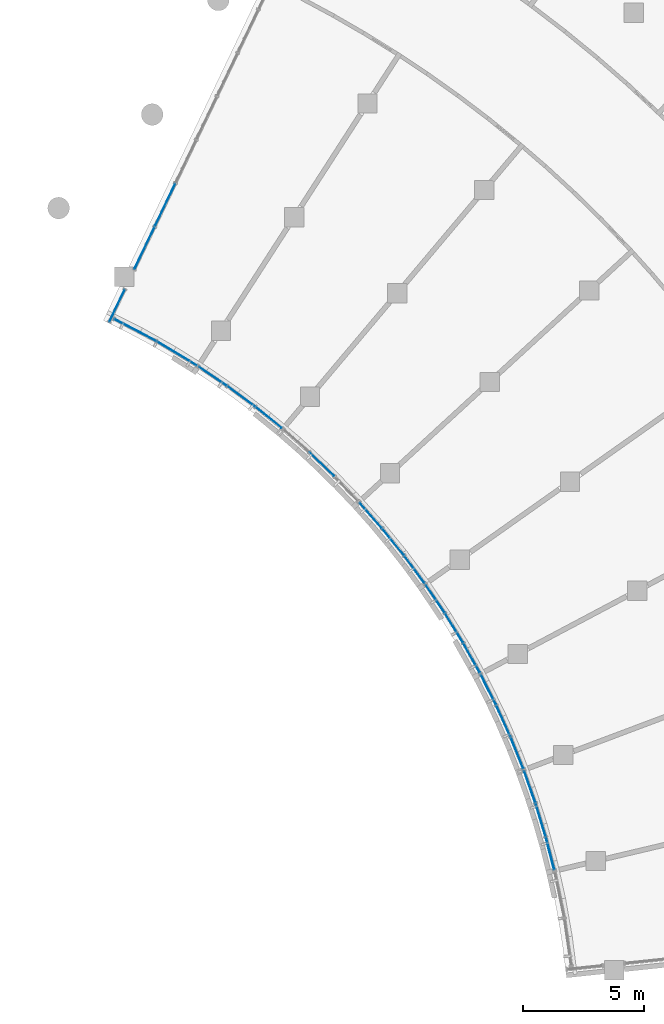
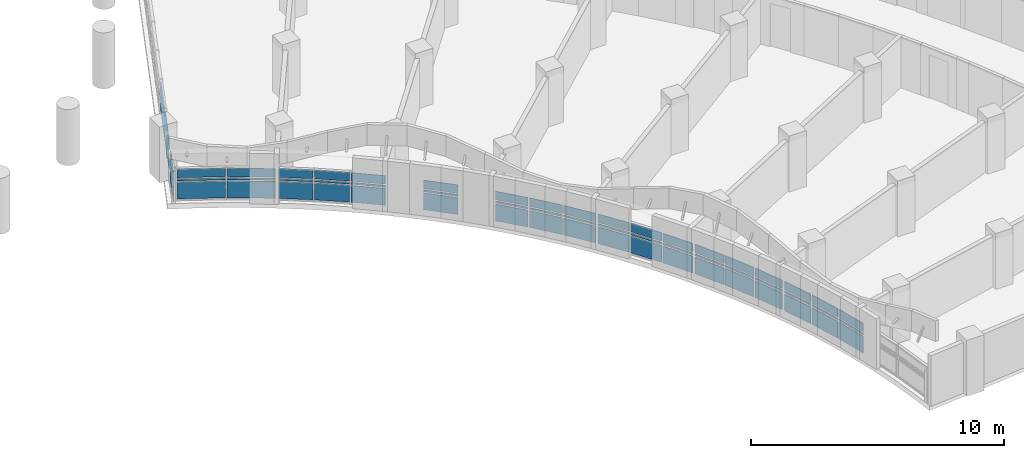
# One storey, part 27 of 89: 63 plates, 9 elements without a shape of their own.
"""IFC4 building model written with IfcOpenShell, lengths in metres."""

from ifc_helpers import new_model, si_unit, direction, frame, origin, origin_2d, place, context, subcontext, project, spatial, rectangle, extrude, material, layer, layer_set, type_object, element, aggregate, save


model = new_model("IFC4")

# Units and contexts
model_context = context("Model", 3, precision=1e-05, world=origin(), true_north=direction((0.0, 1.0)))
body_context = subcontext(model_context, "Body", "Model", "MODEL_VIEW")
ifc_project = project(units=[si_unit("LENGTHUNIT", "METRE"), si_unit("AREAUNIT", "SQUARE_METRE"), si_unit("VOLUMEUNIT", "CUBIC_METRE"), si_unit("PLANEANGLEUNIT", "RADIAN"), si_unit("MASSUNIT", "GRAM", prefix="KILO")], contexts=[model_context])

# Site, building, storey
site_placement = place(None, origin())
site = spatial("IfcSite", under=ifc_project, at=site_placement, CompositionType="ELEMENT")
building_placement = place(site_placement, origin())
building = spatial("IfcBuilding", under=site, at=building_placement, Name="Bougainvillea Quay General Hospital", CompositionType="ELEMENT")
storey_placement = place(building_placement, frame((0.0, 0.0, 9.89990234375)))
storey = spatial("IfcBuildingStorey", under=building, at=storey_placement, Name="L01M", CompositionType="ELEMENT", Elevation=9.89990234375)

# Curtain wall, plates
ifc_material_1 = material(Name="Aluminium curtain wall system, powder-coated glazed", Category="aluminium")
curtain_wall_type_1 = type_object("IfcCurtainWallType", Name="Unitised curtain wall CW-1997", PredefinedType="NOTDEFINED", material=ifc_material_1)
curtain_wall_1_placement = place(storey_placement, origin())
curtain_wall_1 = element("IfcCurtainWall", 1, at=curtain_wall_1_placement, inside=storey, type_object=curtain_wall_type_1, Name="CW-AE 02", PredefinedType="NOTDEFINED")
ifc_material_2 = material(Name="Insulated aluminium spandrel panel, white", Category="aluminium")
ifc_layer_1 = layer(ifc_material_2, 0.028076171875)
ifc_layer_set_1 = layer_set([ifc_layer_1], Name="Insulated aluminium spandrel panel, white")
plate_type_1 = type_object("IfcPlateType", Name="Insulated spandrel panel white 28", PredefinedType="CURTAIN_PANEL", material=ifc_layer_set_1)
plate_1_placement = place(storey_placement, frame((126.3935546875, 57.466796875, 0.06005859375), z_axis=(0.0, 0.0, 1.0), x_axis=(-0.430525444112, -0.902578440897, 0.0)))
plate_1 = element("IfcPlate", 2, at=plate_1_placement, type_object=plate_type_1, Name="CW-AE spandrel panel 9.1", PredefinedType="CURTAIN_PANEL", context=body_context, shape_type="SweptSolid", body=[
    extrude(rectangle(XDim=1.93603515625, YDim=0.028076171875, at=origin_2d()), origin(), (0.0, 0.0, 1.0), 0.81005859375),
])
plate_2_placement = place(storey_placement, frame((126.3935546875, 57.466796875, 1.080078125), z_axis=(0.0, 0.0, 1.0), x_axis=(-0.430525444112, -0.902578440897, 0.0)))
plate_2 = element("IfcPlate", 3, at=plate_2_placement, type_object=plate_type_1, Name="CW-AE spandrel panel 9.3", PredefinedType="CURTAIN_PANEL", context=body_context, shape_type="SweptSolid", body=[
    extrude(rectangle(XDim=1.93603515625, YDim=0.028076171875, at=origin_2d()), origin(), (0.0, 0.0, 1.0), 0.409912109375),
])
plate_3_placement = place(storey_placement, frame((125.54052734375, 55.6787109375, 0.06005859375), z_axis=(0.0, 0.0, 1.0), x_axis=(-0.430525444112, -0.902578440897, 0.0)))
plate_3 = element("IfcPlate", 4, at=plate_3_placement, type_object=plate_type_1, Name="CW-AE spandrel panel 10.1", PredefinedType="CURTAIN_PANEL", context=body_context, shape_type="SweptSolid", body=[
    extrude(rectangle(XDim=1.906005859375, YDim=0.028076171875, at=origin_2d()), origin(), (0.0, 0.0, 1.0), 0.81005859375),
])
plate_4_placement = place(storey_placement, frame((125.54052734375, 55.6787109375, 1.080078125), z_axis=(0.0, 0.0, 1.0), x_axis=(-0.430525444112, -0.902578440897, 0.0)))
plate_4 = element("IfcPlate", 5, at=plate_4_placement, type_object=plate_type_1, Name="CW-AE spandrel panel 10.3", PredefinedType="CURTAIN_PANEL", context=body_context, shape_type="SweptSolid", body=[
    extrude(rectangle(XDim=1.906005859375, YDim=0.028076171875, at=origin_2d()), origin(), (0.0, 0.0, 1.0), 0.409912109375),
])

curtain_wall_type_2 = type_object("IfcCurtainWallType", Name="Unitised curtain wall CW-1580", PredefinedType="NOTDEFINED", material=ifc_material_1)
curtain_wall_2_placement = place(storey_placement, origin())
curtain_wall_2 = element("IfcCurtainWall", 6, at=curtain_wall_2_placement, inside=storey, type_object=curtain_wall_type_2, Name="CW-AE 03", PredefinedType="NOTDEFINED")
plate_5_placement = place(storey_placement, frame((124.40283203125, 53.293212890625, 0.06005859375), z_axis=(0.0, 0.0, 1.0), x_axis=(-0.430525444112, -0.902578440897, 0.0)))
plate_5 = element("IfcPlate", 7, at=plate_5_placement, type_object=plate_type_1, Name="CW-AE spandrel panel 1.1", PredefinedType="CURTAIN_PANEL", context=body_context, shape_type="SweptSolid", body=[
    extrude(rectangle(XDim=1.459716796875, YDim=0.028076171875, at=origin_2d()), origin(), (0.0, 0.0, 1.0), 0.81005859375),
])
plate_6_placement = place(storey_placement, frame((124.40283203125, 53.293212890625, 1.080078125), z_axis=(0.0, 0.0, 1.0), x_axis=(-0.430525444112, -0.902578440897, 0.0)))
plate_6 = element("IfcPlate", 8, at=plate_6_placement, type_object=plate_type_1, Name="CW-AE spandrel panel 1.3", PredefinedType="CURTAIN_PANEL", context=body_context, shape_type="SweptSolid", body=[
    extrude(rectangle(XDim=1.459716796875, YDim=0.028076171875, at=origin_2d()), origin(), (0.0, 0.0, 1.0), 0.409912109375),
])

curtain_wall_type_3 = type_object("IfcCurtainWallType", Name="Unitised curtain wall CW-2100", PredefinedType="NOTDEFINED", material=ifc_material_1)
curtain_wall_3_placement = place(storey_placement, origin())
curtain_wall_3 = element("IfcCurtainWall", 9, at=curtain_wall_3_placement, inside=storey, type_object=curtain_wall_type_3, Name="CW-E01 a12b0", PredefinedType="NOTDEFINED")
plate_7_placement = place(storey_placement, frame((125.157470703125, 52.28857421875, 0.06005859375), z_axis=(0.0, 0.0, 1.0), x_axis=(0.884928841116, -0.46572625668, 0.0)))
plate_7 = element("IfcPlate", 10, at=plate_7_placement, type_object=plate_type_1, Name="CW-E01 spandrel panel 1.1", PredefinedType="CURTAIN_PANEL", context=body_context, shape_type="SweptSolid", body=[
    extrude(rectangle(XDim=1.924072265625, YDim=0.028076171875, at=origin_2d()), origin(), (0.0, 0.0, 1.0), 0.81005859375),
])
plate_8_placement = place(storey_placement, frame((125.157470703125, 52.28857421875, 1.080078125), z_axis=(0.0, 0.0, 1.0), x_axis=(0.884928841116, -0.46572625668, 0.0)))
plate_8 = element("IfcPlate", 11, at=plate_8_placement, type_object=plate_type_1, Name="CW-E01 spandrel panel 1.3", PredefinedType="CURTAIN_PANEL", context=body_context, shape_type="SweptSolid", body=[
    extrude(rectangle(XDim=1.924072265625, YDim=0.028076171875, at=origin_2d()), origin(), (0.0, 0.0, 1.0), 0.409912109375),
])
plate_9_placement = place(storey_placement, frame((126.884521484375, 51.313720703125, 0.06005859375), z_axis=(0.0, 0.0, 1.0), x_axis=(0.856022874409, -0.516937944525, 0.0)))
plate_9 = element("IfcPlate", 12, at=plate_9_placement, type_object=plate_type_1, Name="CW-E01 spandrel panel 2.1", PredefinedType="CURTAIN_PANEL", context=body_context, shape_type="SweptSolid", body=[
    extrude(rectangle(XDim=1.924072265625, YDim=0.028076171875, at=origin_2d()), origin(), (0.0, 0.0, 1.0), 0.81005859375),
])
plate_10_placement = place(storey_placement, frame((126.884521484375, 51.313720703125, 1.080078125), z_axis=(0.0, 0.0, 1.0), x_axis=(0.856022874409, -0.516937944525, 0.0)))
plate_10 = element("IfcPlate", 13, at=plate_10_placement, type_object=plate_type_1, Name="CW-E01 spandrel panel 2.3", PredefinedType="CURTAIN_PANEL", context=body_context, shape_type="SweptSolid", body=[
    extrude(rectangle(XDim=1.924072265625, YDim=0.028076171875, at=origin_2d()), origin(), (0.0, 0.0, 1.0), 0.409912109375),
])

curtain_wall_4_placement = place(storey_placement, origin())
curtain_wall_4 = element("IfcCurtainWall", 14, at=curtain_wall_4_placement, inside=storey, type_object=curtain_wall_type_3, Name="CW-E02 a12b1", PredefinedType="NOTDEFINED")
plate_11_placement = place(storey_placement, frame((128.37548828125, 50.369384765625, 0.06005859375), z_axis=(0.0, 0.0, 1.0), x_axis=(0.828738154592, -0.559636552705, 0.0)))
plate_11 = element("IfcPlate", 15, at=plate_11_placement, type_object=plate_type_1, Name="CW-E02 spandrel panel 1.1", PredefinedType="CURTAIN_PANEL", context=body_context, shape_type="SweptSolid", body=[
    extrude(rectangle(XDim=1.366943359375, YDim=0.028076171875, at=origin_2d()), origin(), (0.0, 0.0, 1.0), 0.81005859375),
])
plate_12_placement = place(storey_placement, frame((128.37548828125, 50.369384765625, 1.080078125), z_axis=(0.0, 0.0, 1.0), x_axis=(0.828738154592, -0.559636552705, 0.0)))
plate_12 = element("IfcPlate", 16, at=plate_12_placement, type_object=plate_type_1, Name="CW-E02 spandrel panel 1.3", PredefinedType="CURTAIN_PANEL", context=body_context, shape_type="SweptSolid", body=[
    extrude(rectangle(XDim=1.366943359375, YDim=0.028076171875, at=origin_2d()), origin(), (0.0, 0.0, 1.0), 0.409912109375),
])
plate_13_placement = place(storey_placement, frame((129.552734375, 49.537109375, 0.06005859375), z_axis=(0.0, 0.0, 1.0), x_axis=(0.804188946942, -0.594373735638, 0.0)))
plate_13 = element("IfcPlate", 17, at=plate_13_placement, type_object=plate_type_1, Name="CW-E02 spandrel panel 2.1", PredefinedType="CURTAIN_PANEL", context=body_context, shape_type="SweptSolid", body=[
    extrude(rectangle(XDim=1.39697265625, YDim=0.028076171875, at=origin_2d()), origin(), (0.0, 0.0, 1.0), 0.81005859375),
])
plate_14_placement = place(storey_placement, frame((129.552734375, 49.537109375, 1.080078125), z_axis=(0.0, 0.0, 1.0), x_axis=(0.804188946942, -0.594373735638, 0.0)))
plate_14 = element("IfcPlate", 18, at=plate_14_placement, type_object=plate_type_1, Name="CW-E02 spandrel panel 2.3", PredefinedType="CURTAIN_PANEL", context=body_context, shape_type="SweptSolid", body=[
    extrude(rectangle(XDim=1.39697265625, YDim=0.028076171875, at=origin_2d()), origin(), (0.0, 0.0, 1.0), 0.409912109375),
])
plate_15_placement = place(storey_placement, frame((130.693603515625, 48.65625, 0.06005859375), z_axis=(0.0, 0.0, 1.0), x_axis=(0.778184691702, -0.628035497086, 0.0)))
plate_15 = element("IfcPlate", 19, at=plate_15_placement, type_object=plate_type_1, Name="CW-E02 spandrel panel 3.1", PredefinedType="CURTAIN_PANEL", context=body_context, shape_type="SweptSolid", body=[
    extrude(rectangle(XDim=1.366943359375, YDim=0.028076171875, at=origin_2d()), origin(), (0.0, 0.0, 1.0), 0.81005859375),
])
plate_16_placement = place(storey_placement, frame((130.693603515625, 48.65625, 1.080078125), z_axis=(0.0, 0.0, 1.0), x_axis=(0.778184691702, -0.628035497086, 0.0)))
plate_16 = element("IfcPlate", 20, at=plate_16_placement, type_object=plate_type_1, Name="CW-E02 spandrel panel 3.3", PredefinedType="CURTAIN_PANEL", context=body_context, shape_type="SweptSolid", body=[
    extrude(rectangle(XDim=1.366943359375, YDim=0.028076171875, at=origin_2d()), origin(), (0.0, 0.0, 1.0), 0.409912109375),
])

curtain_wall_5_placement = place(storey_placement, origin())
curtain_wall_5 = element("IfcCurtainWall", 21, at=curtain_wall_5_placement, inside=storey, type_object=curtain_wall_type_3, Name="CW-E03 a12b2", PredefinedType="NOTDEFINED")
plate_17_placement = place(storey_placement, frame((132.891845703125, 46.722900390625, 0.06005859375), z_axis=(0.0, 0.0, 1.0), x_axis=(0.722001787667, -0.69189118986, 0.0)))
plate_17 = element("IfcPlate", 22, at=plate_17_placement, type_object=plate_type_1, Name="CW-E03 spandrel panel 2.1", PredefinedType="CURTAIN_PANEL", context=body_context, shape_type="SweptSolid", body=[
    extrude(rectangle(XDim=1.39697265625, YDim=0.028076171875, at=origin_2d()), origin(), (0.0, 0.0, 1.0), 0.81005859375),
])
plate_18_placement = place(storey_placement, frame((132.891845703125, 46.722900390625, 1.080078125), z_axis=(0.0, 0.0, 1.0), x_axis=(0.722001787667, -0.69189118986, 0.0)))
plate_18 = element("IfcPlate", 23, at=plate_18_placement, type_object=plate_type_1, Name="CW-E03 spandrel panel 2.3", PredefinedType="CURTAIN_PANEL", context=body_context, shape_type="SweptSolid", body=[
    extrude(rectangle(XDim=1.39697265625, YDim=0.028076171875, at=origin_2d()), origin(), (0.0, 0.0, 1.0), 0.409912109375),
])

curtain_wall_6_placement = place(storey_placement, origin())
curtain_wall_6 = element("IfcCurtainWall", 24, at=curtain_wall_6_placement, inside=storey, type_object=curtain_wall_type_3, Name="CW-E04 a12b3", PredefinedType="NOTDEFINED")
plate_19_placement = place(storey_placement, frame((134.9169921875, 44.60888671875, 0.06005859375), z_axis=(0.0, 0.0, 1.0), x_axis=(0.660595873455, -0.750741694576, 0.0)))
plate_19 = element("IfcPlate", 25, at=plate_19_placement, type_object=plate_type_1, Name="CW-E04 spandrel panel 1.1", PredefinedType="CURTAIN_PANEL", context=body_context, shape_type="SweptSolid", body=[
    extrude(rectangle(XDim=1.366943359375, YDim=0.028076171875, at=origin_2d()), origin(), (0.0, 0.0, 1.0), 0.81005859375),
])
plate_20_placement = place(storey_placement, frame((134.9169921875, 44.60888671875, 1.080078125), z_axis=(0.0, 0.0, 1.0), x_axis=(0.660595873455, -0.750741694576, 0.0)))
plate_20 = element("IfcPlate", 26, at=plate_20_placement, type_object=plate_type_1, Name="CW-E04 spandrel panel 1.3", PredefinedType="CURTAIN_PANEL", context=body_context, shape_type="SweptSolid", body=[
    extrude(rectangle(XDim=1.366943359375, YDim=0.028076171875, at=origin_2d()), origin(), (0.0, 0.0, 1.0), 0.409912109375),
])
plate_21_placement = place(storey_placement, frame((135.845703125, 43.506591796875, 0.06005859375), z_axis=(0.0, 0.0, 1.0), x_axis=(0.62807171477, -0.778155460757, 0.0)))
plate_21 = element("IfcPlate", 27, at=plate_21_placement, type_object=plate_type_1, Name="CW-E04 spandrel panel 2.1", PredefinedType="CURTAIN_PANEL", context=body_context, shape_type="SweptSolid", body=[
    extrude(rectangle(XDim=1.39697265625, YDim=0.028076171875, at=origin_2d()), origin(), (0.0, 0.0, 1.0), 0.81005859375),
])
plate_22_placement = place(storey_placement, frame((135.845703125, 43.506591796875, 1.080078125), z_axis=(0.0, 0.0, 1.0), x_axis=(0.62807171477, -0.778155460757, 0.0)))
plate_22 = element("IfcPlate", 28, at=plate_22_placement, type_object=plate_type_1, Name="CW-E04 spandrel panel 2.3", PredefinedType="CURTAIN_PANEL", context=body_context, shape_type="SweptSolid", body=[
    extrude(rectangle(XDim=1.39697265625, YDim=0.028076171875, at=origin_2d()), origin(), (0.0, 0.0, 1.0), 0.409912109375),
])
plate_23_placement = place(storey_placement, frame((136.727294921875, 42.365966796875, 0.06005859375), z_axis=(0.0, 0.0, 1.0), x_axis=(0.594411163652, -0.804161282658, 0.0)))
plate_23 = element("IfcPlate", 29, at=plate_23_placement, type_object=plate_type_1, Name="CW-E04 spandrel panel 3.1", PredefinedType="CURTAIN_PANEL", context=body_context, shape_type="SweptSolid", body=[
    extrude(rectangle(XDim=1.366943359375, YDim=0.028076171875, at=origin_2d()), origin(), (0.0, 0.0, 1.0), 0.81005859375),
])
plate_24_placement = place(storey_placement, frame((136.727294921875, 42.365966796875, 1.080078125), z_axis=(0.0, 0.0, 1.0), x_axis=(0.594411163652, -0.804161282658, 0.0)))
plate_24 = element("IfcPlate", 30, at=plate_24_placement, type_object=plate_type_1, Name="CW-E04 spandrel panel 3.3", PredefinedType="CURTAIN_PANEL", context=body_context, shape_type="SweptSolid", body=[
    extrude(rectangle(XDim=1.366943359375, YDim=0.028076171875, at=origin_2d()), origin(), (0.0, 0.0, 1.0), 0.409912109375),
])

curtain_wall_7_placement = place(storey_placement, origin())
curtain_wall_7 = element("IfcCurtainWall", 31, at=curtain_wall_7_placement, inside=storey, type_object=curtain_wall_type_3, Name="CW-E05 a12b4", PredefinedType="NOTDEFINED")
plate_25_placement = place(storey_placement, frame((137.585205078125, 41.152099609375, 0.06005859375), z_axis=(0.0, 0.0, 1.0), x_axis=(0.559675123314, -0.828712107033, 0.0)))
plate_25 = element("IfcPlate", 32, at=plate_25_placement, type_object=plate_type_1, Name="CW-E05 spandrel panel 1.1", PredefinedType="CURTAIN_PANEL", context=body_context, shape_type="SweptSolid", body=[
    extrude(rectangle(XDim=1.366943359375, YDim=0.028076171875, at=origin_2d()), origin(), (0.0, 0.0, 1.0), 0.81005859375),
])
plate_26_placement = place(storey_placement, frame((137.585205078125, 41.152099609375, 1.080078125), z_axis=(0.0, 0.0, 1.0), x_axis=(0.559675123314, -0.828712107033, 0.0)))
plate_26 = element("IfcPlate", 33, at=plate_26_placement, type_object=plate_type_1, Name="CW-E05 spandrel panel 1.3", PredefinedType="CURTAIN_PANEL", context=body_context, shape_type="SweptSolid", body=[
    extrude(rectangle(XDim=1.366943359375, YDim=0.028076171875, at=origin_2d()), origin(), (0.0, 0.0, 1.0), 0.409912109375),
])
plate_27_placement = place(storey_placement, frame((138.3662109375, 39.9404296875, 0.06005859375), z_axis=(0.0, 0.0, 1.0), x_axis=(0.523926442936, -0.851763513185, 0.0)))
plate_27 = element("IfcPlate", 34, at=plate_27_placement, type_object=plate_type_1, Name="CW-E05 spandrel panel 2.1", PredefinedType="CURTAIN_PANEL", context=body_context, shape_type="SweptSolid", body=[
    extrude(rectangle(XDim=1.39697265625, YDim=0.028076171875, at=origin_2d()), origin(), (0.0, 0.0, 1.0), 0.81005859375),
])
plate_28_placement = place(storey_placement, frame((138.3662109375, 39.9404296875, 1.080078125), z_axis=(0.0, 0.0, 1.0), x_axis=(0.523926442936, -0.851763513185, 0.0)))
plate_28 = element("IfcPlate", 35, at=plate_28_placement, type_object=plate_type_1, Name="CW-E05 spandrel panel 2.3", PredefinedType="CURTAIN_PANEL", context=body_context, shape_type="SweptSolid", body=[
    extrude(rectangle(XDim=1.39697265625, YDim=0.028076171875, at=origin_2d()), origin(), (0.0, 0.0, 1.0), 0.409912109375),
])
plate_29_placement = place(storey_placement, frame((139.095458984375, 38.697021484375, 0.06005859375), z_axis=(0.0, 0.0, 1.0), x_axis=(0.487229803858, -0.873273793396, 0.0)))
plate_29 = element("IfcPlate", 36, at=plate_29_placement, type_object=plate_type_1, Name="CW-E05 spandrel panel 3.1", PredefinedType="CURTAIN_PANEL", context=body_context, shape_type="SweptSolid", body=[
    extrude(rectangle(XDim=1.366943359375, YDim=0.028076171875, at=origin_2d()), origin(), (0.0, 0.0, 1.0), 0.81005859375),
])
plate_30_placement = place(storey_placement, frame((139.095458984375, 38.697021484375, 1.080078125), z_axis=(0.0, 0.0, 1.0), x_axis=(0.487229803858, -0.873273793396, 0.0)))
plate_30 = element("IfcPlate", 37, at=plate_30_placement, type_object=plate_type_1, Name="CW-E05 spandrel panel 3.3", PredefinedType="CURTAIN_PANEL", context=body_context, shape_type="SweptSolid", body=[
    extrude(rectangle(XDim=1.366943359375, YDim=0.028076171875, at=origin_2d()), origin(), (0.0, 0.0, 1.0), 0.409912109375),
])

curtain_wall_8_placement = place(storey_placement, origin())
curtain_wall_8 = element("IfcCurtainWall", 38, at=curtain_wall_8_placement, inside=storey, type_object=curtain_wall_type_3, Name="CW-E06 a12b5", PredefinedType="NOTDEFINED")
plate_31_placement = place(storey_placement, frame((139.7919921875, 37.383544921875, 0.06005859375), z_axis=(0.0, 0.0, 1.0), x_axis=(0.449651602597, -0.893204028362, 0.0)))
plate_31 = element("IfcPlate", 39, at=plate_31_placement, type_object=plate_type_1, Name="CW-E06 spandrel panel 1.1", PredefinedType="CURTAIN_PANEL", context=body_context, shape_type="SweptSolid", body=[
    extrude(rectangle(XDim=1.366943359375, YDim=0.028076171875, at=origin_2d()), origin(), (0.0, 0.0, 1.0), 0.81005859375),
])
plate_32_placement = place(storey_placement, frame((139.7919921875, 37.383544921875, 1.080078125), z_axis=(0.0, 0.0, 1.0), x_axis=(0.449651602597, -0.893204028362, 0.0)))
plate_32 = element("IfcPlate", 40, at=plate_32_placement, type_object=plate_type_1, Name="CW-E06 spandrel panel 1.3", PredefinedType="CURTAIN_PANEL", context=body_context, shape_type="SweptSolid", body=[
    extrude(rectangle(XDim=1.366943359375, YDim=0.028076171875, at=origin_2d()), origin(), (0.0, 0.0, 1.0), 0.409912109375),
])
plate_33_placement = place(storey_placement, frame((140.412353515625, 36.08251953125, 0.06005859375), z_axis=(0.0, 0.0, 1.0), x_axis=(0.411259830755, -0.911518157585, 0.0)))
plate_33 = element("IfcPlate", 41, at=plate_33_placement, type_object=plate_type_1, Name="CW-E06 spandrel panel 2.1", PredefinedType="CURTAIN_PANEL", context=body_context, shape_type="SweptSolid", body=[
    extrude(rectangle(XDim=1.39697265625, YDim=0.028076171875, at=origin_2d()), origin(), (0.0, 0.0, 1.0), 0.81005859375),
])
plate_34_placement = place(storey_placement, frame((140.412353515625, 36.08251953125, 1.080078125), z_axis=(0.0, 0.0, 1.0), x_axis=(0.411259830755, -0.911518157585, 0.0)))
plate_34 = element("IfcPlate", 42, at=plate_34_placement, type_object=plate_type_1, Name="CW-E06 spandrel panel 2.3", PredefinedType="CURTAIN_PANEL", context=body_context, shape_type="SweptSolid", body=[
    extrude(rectangle(XDim=1.39697265625, YDim=0.028076171875, at=origin_2d()), origin(), (0.0, 0.0, 1.0), 0.409912109375),
])
plate_35_placement = place(storey_placement, frame((140.9775390625, 34.75634765625, 0.06005859375), z_axis=(0.0, 0.0, 1.0), x_axis=(0.372123951912, -0.92818304467, 0.0)))
plate_35 = element("IfcPlate", 43, at=plate_35_placement, type_object=plate_type_1, Name="CW-E06 spandrel panel 3.1", PredefinedType="CURTAIN_PANEL", context=body_context, shape_type="SweptSolid", body=[
    extrude(rectangle(XDim=1.366943359375, YDim=0.028076171875, at=origin_2d()), origin(), (0.0, 0.0, 1.0), 0.81005859375),
])
plate_36_placement = place(storey_placement, frame((140.9775390625, 34.75634765625, 1.080078125), z_axis=(0.0, 0.0, 1.0), x_axis=(0.372123951912, -0.92818304467, 0.0)))
plate_36 = element("IfcPlate", 44, at=plate_36_placement, type_object=plate_type_1, Name="CW-E06 spandrel panel 3.3", PredefinedType="CURTAIN_PANEL", context=body_context, shape_type="SweptSolid", body=[
    extrude(rectangle(XDim=1.366943359375, YDim=0.028076171875, at=origin_2d()), origin(), (0.0, 0.0, 1.0), 0.409912109375),
])

curtain_wall_9_placement = place(storey_placement, origin())
curtain_wall_9 = element("IfcCurtainWall", 45, at=curtain_wall_9_placement, inside=storey, type_object=curtain_wall_type_3, Name="CW-E07 a12b6", PredefinedType="NOTDEFINED")
plate_37_placement = place(storey_placement, frame((141.501220703125, 33.364990234375, 0.06005859375), z_axis=(0.0, 0.0, 1.0), x_axis=(0.332314775986, -0.943168537252, 0.0)))
plate_37 = element("IfcPlate", 46, at=plate_37_placement, type_object=plate_type_1, Name="CW-E07 spandrel panel 1.1", PredefinedType="CURTAIN_PANEL", context=body_context, shape_type="SweptSolid", body=[
    extrude(rectangle(XDim=1.366943359375, YDim=0.028076171875, at=origin_2d()), origin(), (0.0, 0.0, 1.0), 0.81005859375),
])
plate_38_placement = place(storey_placement, frame((141.501220703125, 33.364990234375, 1.080078125), z_axis=(0.0, 0.0, 1.0), x_axis=(0.332314775986, -0.943168537252, 0.0)))
plate_38 = element("IfcPlate", 47, at=plate_38_placement, type_object=plate_type_1, Name="CW-E07 spandrel panel 1.3", PredefinedType="CURTAIN_PANEL", context=body_context, shape_type="SweptSolid", body=[
    extrude(rectangle(XDim=1.366943359375, YDim=0.028076171875, at=origin_2d()), origin(), (0.0, 0.0, 1.0), 0.409912109375),
])
plate_39_placement = place(storey_placement, frame((141.950927734375, 31.995361328125, 0.06005859375), z_axis=(0.0, 0.0, 1.0), x_axis=(0.291904331163, -0.956447521534, 0.0)))
plate_39 = element("IfcPlate", 48, at=plate_39_placement, type_object=plate_type_1, Name="CW-E07 spandrel panel 2.1", PredefinedType="CURTAIN_PANEL", context=body_context, shape_type="SweptSolid", body=[
    extrude(rectangle(XDim=1.39697265625, YDim=0.028076171875, at=origin_2d()), origin(), (0.0, 0.0, 1.0), 0.81005859375),
])
plate_40_placement = place(storey_placement, frame((141.950927734375, 31.995361328125, 1.080078125), z_axis=(0.0, 0.0, 1.0), x_axis=(0.291904331163, -0.956447521534, 0.0)))
plate_40 = element("IfcPlate", 49, at=plate_40_placement, type_object=plate_type_1, Name="CW-E07 spandrel panel 2.3", PredefinedType="CURTAIN_PANEL", context=body_context, shape_type="SweptSolid", body=[
    extrude(rectangle(XDim=1.39697265625, YDim=0.028076171875, at=origin_2d()), origin(), (0.0, 0.0, 1.0), 0.409912109375),
])
plate_41_placement = place(storey_placement, frame((142.342529296875, 30.608154296875, 0.06005859375), z_axis=(0.0, 0.0, 1.0), x_axis=(0.250965733479, -0.967995971386, 0.0)))
plate_41 = element("IfcPlate", 50, at=plate_41_placement, type_object=plate_type_1, Name="CW-E07 spandrel panel 3.1", PredefinedType="CURTAIN_PANEL", context=body_context, shape_type="SweptSolid", body=[
    extrude(rectangle(XDim=1.366943359375, YDim=0.028076171875, at=origin_2d()), origin(), (0.0, 0.0, 1.0), 0.81005859375),
])
plate_42_placement = place(storey_placement, frame((142.342529296875, 30.608154296875, 1.080078125), z_axis=(0.0, 0.0, 1.0), x_axis=(0.250965733479, -0.967995971386, 0.0)))
plate_42 = element("IfcPlate", 51, at=plate_42_placement, type_object=plate_type_1, Name="CW-E07 spandrel panel 3.3", PredefinedType="CURTAIN_PANEL", context=body_context, shape_type="SweptSolid", body=[
    extrude(rectangle(XDim=1.366943359375, YDim=0.028076171875, at=origin_2d()), origin(), (0.0, 0.0, 1.0), 0.409912109375),
])

# Plate
ifc_material_3 = material(Name="Low-e laminated glass, solar control", Category="glass")
ifc_layer_2 = layer(ifc_material_3, 0.028076171875)
ifc_layer_set_2 = layer_set([ifc_layer_2], Name="Low-e laminated glass, solar control")
plate_type_2 = type_object("IfcPlateType", Name="Low-e laminated vision glass 28", PredefinedType="CURTAIN_PANEL", material=ifc_layer_set_2)
plate_43_placement = place(storey_placement, frame((126.3935546875, 57.466796875, 0.93017578125), z_axis=(0.0, 0.0, 1.0), x_axis=(-0.430525444112, -0.902578440897, 0.0)))
plate_43 = element("IfcPlate", 52, at=plate_43_placement, type_object=plate_type_2, Name="CW-AE vision glass panel 9.2", PredefinedType="CURTAIN_PANEL", context=body_context, shape_type="SweptSolid", body=[
    extrude(rectangle(XDim=1.93603515625, YDim=0.028076171875, at=origin_2d()), origin(), (0.0, 0.0, 1.0), 0.090087890625),
])

plate_44_placement = place(storey_placement, frame((125.54052734375, 55.6787109375, 0.93017578125), z_axis=(0.0, 0.0, 1.0), x_axis=(-0.430525444112, -0.902578440897, 0.0)))
plate_44 = element("IfcPlate", 53, at=plate_44_placement, type_object=plate_type_2, Name="CW-AE vision glass panel 10.2", PredefinedType="CURTAIN_PANEL", context=body_context, shape_type="SweptSolid", body=[
    extrude(rectangle(XDim=1.906005859375, YDim=0.028076171875, at=origin_2d()), origin(), (0.0, 0.0, 1.0), 0.090087890625),
])

aggregate(curtain_wall_1, [plate_1, plate_43, plate_2, plate_3, plate_44, plate_4])

plate_45_placement = place(storey_placement, frame((124.40283203125, 53.293212890625, 0.93017578125), z_axis=(0.0, 0.0, 1.0), x_axis=(-0.430525444112, -0.902578440897, 0.0)))
plate_45 = element("IfcPlate", 54, at=plate_45_placement, type_object=plate_type_2, Name="CW-AE vision glass panel 1.2", PredefinedType="CURTAIN_PANEL", context=body_context, shape_type="SweptSolid", body=[
    extrude(rectangle(XDim=1.459716796875, YDim=0.028076171875, at=origin_2d()), origin(), (0.0, 0.0, 1.0), 0.090087890625),
])

aggregate(curtain_wall_2, [plate_5, plate_45, plate_6])

plate_46_placement = place(storey_placement, frame((125.157470703125, 52.28857421875, 0.93017578125), z_axis=(0.0, 0.0, 1.0), x_axis=(0.884928841116, -0.46572625668, 0.0)))
plate_46 = element("IfcPlate", 55, at=plate_46_placement, type_object=plate_type_2, Name="CW-E01 vision glass panel 1.2", PredefinedType="CURTAIN_PANEL", context=body_context, shape_type="SweptSolid", body=[
    extrude(rectangle(XDim=1.924072265625, YDim=0.028076171875, at=origin_2d()), origin(), (0.0, 0.0, 1.0), 0.090087890625),
])

plate_47_placement = place(storey_placement, frame((126.884521484375, 51.313720703125, 0.93017578125), z_axis=(0.0, 0.0, 1.0), x_axis=(0.856022874409, -0.516937944525, 0.0)))
plate_47 = element("IfcPlate", 56, at=plate_47_placement, type_object=plate_type_2, Name="CW-E01 vision glass panel 2.2", PredefinedType="CURTAIN_PANEL", context=body_context, shape_type="SweptSolid", body=[
    extrude(rectangle(XDim=1.924072265625, YDim=0.028076171875, at=origin_2d()), origin(), (0.0, 0.0, 1.0), 0.090087890625),
])

aggregate(curtain_wall_3, [plate_7, plate_46, plate_8, plate_9, plate_47, plate_10])

plate_48_placement = place(storey_placement, frame((128.37548828125, 50.369384765625, 0.93017578125), z_axis=(0.0, 0.0, 1.0), x_axis=(0.828738154592, -0.559636552705, 0.0)))
plate_48 = element("IfcPlate", 57, at=plate_48_placement, type_object=plate_type_2, Name="CW-E02 vision glass panel 1.2", PredefinedType="CURTAIN_PANEL", context=body_context, shape_type="SweptSolid", body=[
    extrude(rectangle(XDim=1.366943359375, YDim=0.028076171875, at=origin_2d()), origin(), (0.0, 0.0, 1.0), 0.090087890625),
])

plate_49_placement = place(storey_placement, frame((129.552734375, 49.537109375, 0.93017578125), z_axis=(0.0, 0.0, 1.0), x_axis=(0.804188946942, -0.594373735638, 0.0)))
plate_49 = element("IfcPlate", 58, at=plate_49_placement, type_object=plate_type_2, Name="CW-E02 vision glass panel 2.2", PredefinedType="CURTAIN_PANEL", context=body_context, shape_type="SweptSolid", body=[
    extrude(rectangle(XDim=1.39697265625, YDim=0.028076171875, at=origin_2d()), origin(), (0.0, 0.0, 1.0), 0.090087890625),
])

plate_50_placement = place(storey_placement, frame((130.693603515625, 48.65625, 0.93017578125), z_axis=(0.0, 0.0, 1.0), x_axis=(0.778184691702, -0.628035497086, 0.0)))
plate_50 = element("IfcPlate", 59, at=plate_50_placement, type_object=plate_type_2, Name="CW-E02 vision glass panel 3.2", PredefinedType="CURTAIN_PANEL", context=body_context, shape_type="SweptSolid", body=[
    extrude(rectangle(XDim=1.366943359375, YDim=0.028076171875, at=origin_2d()), origin(), (0.0, 0.0, 1.0), 0.090087890625),
])

aggregate(curtain_wall_4, [plate_11, plate_48, plate_12, plate_13, plate_49, plate_14, plate_15, plate_50, plate_16])

plate_51_placement = place(storey_placement, frame((132.891845703125, 46.722900390625, 0.93017578125), z_axis=(0.0, 0.0, 1.0), x_axis=(0.722001787667, -0.69189118986, 0.0)))
plate_51 = element("IfcPlate", 60, at=plate_51_placement, type_object=plate_type_2, Name="CW-E03 vision glass panel 2.2", PredefinedType="CURTAIN_PANEL", context=body_context, shape_type="SweptSolid", body=[
    extrude(rectangle(XDim=1.39697265625, YDim=0.028076171875, at=origin_2d()), origin(), (0.0, 0.0, 1.0), 0.090087890625),
])

aggregate(curtain_wall_5, [plate_17, plate_51, plate_18])

plate_52_placement = place(storey_placement, frame((134.9169921875, 44.60888671875, 0.93017578125), z_axis=(0.0, 0.0, 1.0), x_axis=(0.660595873455, -0.750741694576, 0.0)))
plate_52 = element("IfcPlate", 61, at=plate_52_placement, type_object=plate_type_2, Name="CW-E04 vision glass panel 1.2", PredefinedType="CURTAIN_PANEL", context=body_context, shape_type="SweptSolid", body=[
    extrude(rectangle(XDim=1.366943359375, YDim=0.028076171875, at=origin_2d()), origin(), (0.0, 0.0, 1.0), 0.090087890625),
])

plate_53_placement = place(storey_placement, frame((135.845703125, 43.506591796875, 0.93017578125), z_axis=(0.0, 0.0, 1.0), x_axis=(0.62807171477, -0.778155460757, 0.0)))
plate_53 = element("IfcPlate", 62, at=plate_53_placement, type_object=plate_type_2, Name="CW-E04 vision glass panel 2.2", PredefinedType="CURTAIN_PANEL", context=body_context, shape_type="SweptSolid", body=[
    extrude(rectangle(XDim=1.39697265625, YDim=0.028076171875, at=origin_2d()), origin(), (0.0, 0.0, 1.0), 0.090087890625),
])

plate_54_placement = place(storey_placement, frame((136.727294921875, 42.365966796875, 0.93017578125), z_axis=(0.0, 0.0, 1.0), x_axis=(0.594411163652, -0.804161282658, 0.0)))
plate_54 = element("IfcPlate", 63, at=plate_54_placement, type_object=plate_type_2, Name="CW-E04 vision glass panel 3.2", PredefinedType="CURTAIN_PANEL", context=body_context, shape_type="SweptSolid", body=[
    extrude(rectangle(XDim=1.366943359375, YDim=0.028076171875, at=origin_2d()), origin(), (0.0, 0.0, 1.0), 0.090087890625),
])

aggregate(curtain_wall_6, [plate_19, plate_52, plate_20, plate_21, plate_53, plate_22, plate_23, plate_54, plate_24])

plate_55_placement = place(storey_placement, frame((137.585205078125, 41.152099609375, 0.93017578125), z_axis=(0.0, 0.0, 1.0), x_axis=(0.559675123314, -0.828712107033, 0.0)))
plate_55 = element("IfcPlate", 64, at=plate_55_placement, type_object=plate_type_2, Name="CW-E05 vision glass panel 1.2", PredefinedType="CURTAIN_PANEL", context=body_context, shape_type="SweptSolid", body=[
    extrude(rectangle(XDim=1.366943359375, YDim=0.028076171875, at=origin_2d()), origin(), (0.0, 0.0, 1.0), 0.090087890625),
])

plate_56_placement = place(storey_placement, frame((138.3662109375, 39.9404296875, 0.93017578125), z_axis=(0.0, 0.0, 1.0), x_axis=(0.523926442936, -0.851763513185, 0.0)))
plate_56 = element("IfcPlate", 65, at=plate_56_placement, type_object=plate_type_2, Name="CW-E05 vision glass panel 2.2", PredefinedType="CURTAIN_PANEL", context=body_context, shape_type="SweptSolid", body=[
    extrude(rectangle(XDim=1.39697265625, YDim=0.028076171875, at=origin_2d()), origin(), (0.0, 0.0, 1.0), 0.090087890625),
])

plate_57_placement = place(storey_placement, frame((139.095458984375, 38.697021484375, 0.93017578125), z_axis=(0.0, 0.0, 1.0), x_axis=(0.487229803858, -0.873273793396, 0.0)))
plate_57 = element("IfcPlate", 66, at=plate_57_placement, type_object=plate_type_2, Name="CW-E05 vision glass panel 3.2", PredefinedType="CURTAIN_PANEL", context=body_context, shape_type="SweptSolid", body=[
    extrude(rectangle(XDim=1.366943359375, YDim=0.028076171875, at=origin_2d()), origin(), (0.0, 0.0, 1.0), 0.090087890625),
])

aggregate(curtain_wall_7, [plate_25, plate_55, plate_26, plate_27, plate_56, plate_28, plate_29, plate_57, plate_30])

plate_58_placement = place(storey_placement, frame((139.7919921875, 37.383544921875, 0.93017578125), z_axis=(0.0, 0.0, 1.0), x_axis=(0.449651602597, -0.893204028362, 0.0)))
plate_58 = element("IfcPlate", 67, at=plate_58_placement, type_object=plate_type_2, Name="CW-E06 vision glass panel 1.2", PredefinedType="CURTAIN_PANEL", context=body_context, shape_type="SweptSolid", body=[
    extrude(rectangle(XDim=1.366943359375, YDim=0.028076171875, at=origin_2d()), origin(), (0.0, 0.0, 1.0), 0.090087890625),
])

plate_59_placement = place(storey_placement, frame((140.412353515625, 36.08251953125, 0.93017578125), z_axis=(0.0, 0.0, 1.0), x_axis=(0.411259830755, -0.911518157585, 0.0)))
plate_59 = element("IfcPlate", 68, at=plate_59_placement, type_object=plate_type_2, Name="CW-E06 vision glass panel 2.2", PredefinedType="CURTAIN_PANEL", context=body_context, shape_type="SweptSolid", body=[
    extrude(rectangle(XDim=1.39697265625, YDim=0.028076171875, at=origin_2d()), origin(), (0.0, 0.0, 1.0), 0.090087890625),
])

plate_60_placement = place(storey_placement, frame((140.9775390625, 34.75634765625, 0.93017578125), z_axis=(0.0, 0.0, 1.0), x_axis=(0.372123951912, -0.92818304467, 0.0)))
plate_60 = element("IfcPlate", 69, at=plate_60_placement, type_object=plate_type_2, Name="CW-E06 vision glass panel 3.2", PredefinedType="CURTAIN_PANEL", context=body_context, shape_type="SweptSolid", body=[
    extrude(rectangle(XDim=1.366943359375, YDim=0.028076171875, at=origin_2d()), origin(), (0.0, 0.0, 1.0), 0.090087890625),
])

aggregate(curtain_wall_8, [plate_31, plate_58, plate_32, plate_33, plate_59, plate_34, plate_35, plate_60, plate_36])

plate_61_placement = place(storey_placement, frame((141.501220703125, 33.364990234375, 0.93017578125), z_axis=(0.0, 0.0, 1.0), x_axis=(0.332314775986, -0.943168537252, 0.0)))
plate_61 = element("IfcPlate", 70, at=plate_61_placement, type_object=plate_type_2, Name="CW-E07 vision glass panel 1.2", PredefinedType="CURTAIN_PANEL", context=body_context, shape_type="SweptSolid", body=[
    extrude(rectangle(XDim=1.366943359375, YDim=0.028076171875, at=origin_2d()), origin(), (0.0, 0.0, 1.0), 0.090087890625),
])

plate_62_placement = place(storey_placement, frame((141.950927734375, 31.995361328125, 0.93017578125), z_axis=(0.0, 0.0, 1.0), x_axis=(0.291904331163, -0.956447521534, 0.0)))
plate_62 = element("IfcPlate", 71, at=plate_62_placement, type_object=plate_type_2, Name="CW-E07 vision glass panel 2.2", PredefinedType="CURTAIN_PANEL", context=body_context, shape_type="SweptSolid", body=[
    extrude(rectangle(XDim=1.39697265625, YDim=0.028076171875, at=origin_2d()), origin(), (0.0, 0.0, 1.0), 0.090087890625),
])

plate_63_placement = place(storey_placement, frame((142.342529296875, 30.608154296875, 0.93017578125), z_axis=(0.0, 0.0, 1.0), x_axis=(0.250965733479, -0.967995971386, 0.0)))
plate_63 = element("IfcPlate", 72, at=plate_63_placement, type_object=plate_type_2, Name="CW-E07 vision glass panel 3.2", PredefinedType="CURTAIN_PANEL", context=body_context, shape_type="SweptSolid", body=[
    extrude(rectangle(XDim=1.366943359375, YDim=0.028076171875, at=origin_2d()), origin(), (0.0, 0.0, 1.0), 0.090087890625),
])

aggregate(curtain_wall_9, [plate_37, plate_61, plate_38, plate_39, plate_62, plate_40, plate_41, plate_63, plate_42])

save(model, "model.ifc")
